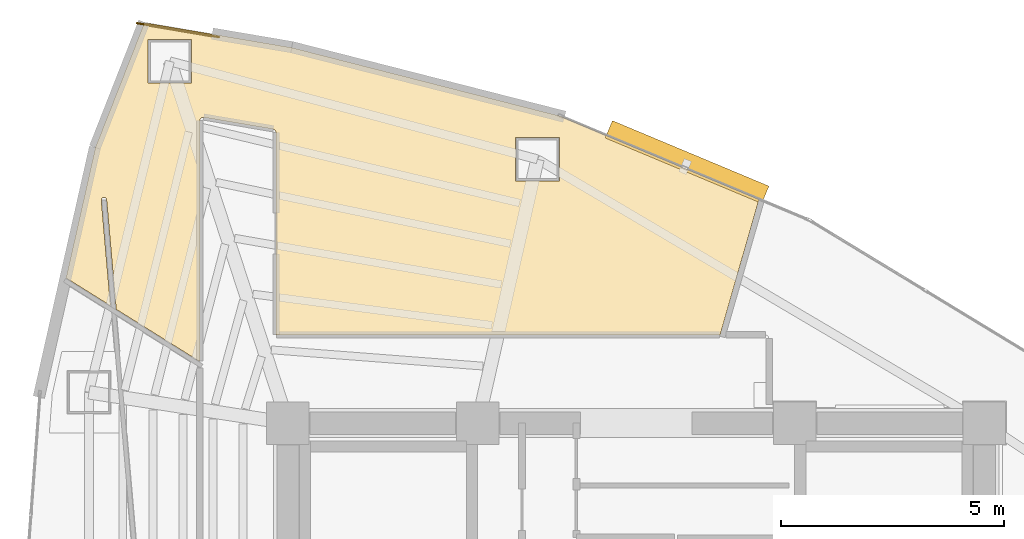
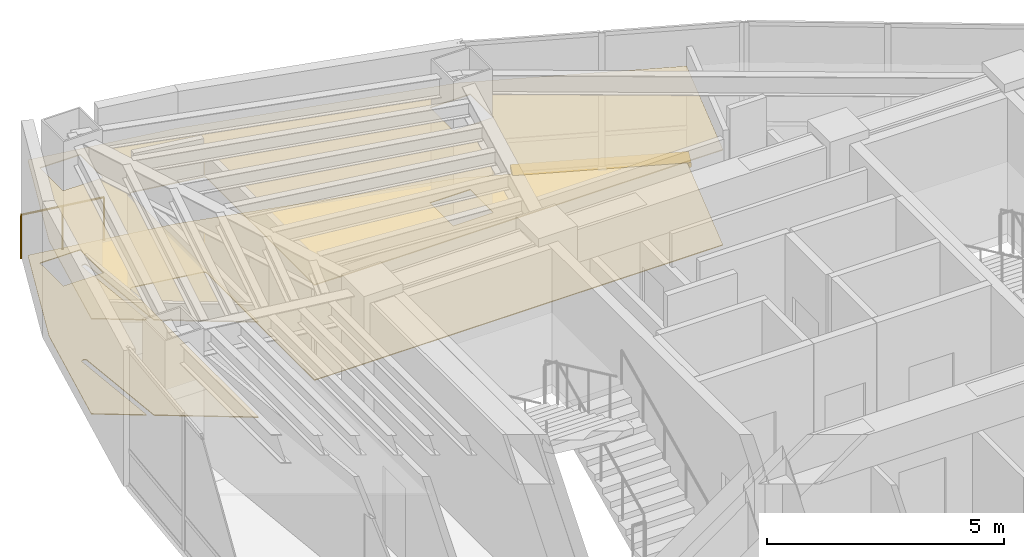
# One storey, part 16 of 16: 2 coverings, 1 railing, 1 shading device.
"""IFC4 building model written with IfcOpenShell, lengths in metres."""

from ifc_helpers import new_model, si_unit, direction, frame, origin, origin_2d, place, context, subcontext, project, spatial, polyline, rectangle, circle, outline, extrude, material, layer, layer_set, type_object, element, save


model = new_model("IFC4")

# Units and contexts
model_context = context("Model", 3, precision=1e-05, world=origin(), true_north=direction((0.0, 1.0)))
body_context = subcontext(model_context, "Body", "Model", "MODEL_VIEW")
ifc_project = project(units=[si_unit("LENGTHUNIT", "METRE"), si_unit("AREAUNIT", "SQUARE_METRE"), si_unit("VOLUMEUNIT", "CUBIC_METRE"), si_unit("PLANEANGLEUNIT", "RADIAN"), si_unit("MASSUNIT", "GRAM", prefix="KILO")], contexts=[model_context])

# Site, building, storey
site_placement = place(None, origin())
site = spatial("IfcSite", under=ifc_project, at=site_placement, CompositionType="ELEMENT")
building_placement = place(site_placement, origin())
building = spatial("IfcBuilding", under=site, at=building_placement, Name="Menara Vayukalpa", CompositionType="ELEMENT")
storey_placement = place(building_placement, frame((0.0, 0.0, 219.5400390625)))
storey = spatial("IfcBuildingStorey", under=building, at=storey_placement, Name="L55", CompositionType="ELEMENT", Elevation=219.5400390625)

# Coverings
ifc_material_1 = material(Name="Mineral Fibre Acoustic Ceiling Tile", Category="masonry")
ifc_layer_1 = layer(ifc_material_1, 0.02490234375)
ifc_layer_set_1 = layer_set([ifc_layer_1], Name="Mineral Fibre Acoustic Ceiling Tile")
covering_type_1 = type_object("IfcCoveringType", Name="COV-CLG1", PredefinedType="CEILING", material=ifc_layer_set_1)
covering_1_placement = place(storey_placement, frame((0.0, 0.0, 2.449951171875)))
element("IfcCovering", 1, at=covering_1_placement, inside=storey, type_object=covering_type_1, Name="L55 Visitor Reception Lounge Acoustic Ceiling", PredefinedType="CEILING", context=body_context, shape_type="SweptSolid", body=[
    extrude(outline(polyline([(13.489013671875, 32.976318359375), (14.583251953125, 35.762451171875), (14.58349609375, 35.76318359375), (14.583984375, 35.76416015625), (14.584716796875, 35.764892578125), (14.585205078125, 35.765625), (14.5859375, 35.766357421875), (14.5869140625, 35.766845703125), (14.587646484375, 35.767333984375), (14.58837890625, 35.767822265625), (14.58935546875, 35.768310546875), (14.59033203125, 35.7685546875), (14.59130859375, 35.7685546875), (14.59228515625, 35.768798828125), (14.59326171875, 35.768798828125), (14.59423828125, 35.7685546875), (17.879150390625, 35.2109375), (17.8798828125, 35.210693359375), (23.884765625, 33.67919921875), (23.885986328125, 33.6787109375), (28.3427734375, 31.814697265625), (28.343505859375, 31.814208984375), (28.344482421875, 31.813720703125), (28.34521484375, 31.81298828125), (28.345947265625, 31.8125), (28.346435546875, 31.811767578125), (28.34716796875, 31.81103515625), (28.34765625, 31.810302734375), (28.347900390625, 31.809326171875), (28.348388671875, 31.808349609375), (28.3486328125, 31.807373046875), (28.3486328125, 31.806396484375), (28.348876953125, 31.805419921875), (28.348876953125, 31.804443359375), (28.3486328125, 31.8037109375), (28.348388671875, 31.802490234375), (27.48095703125, 28.777099609375), (27.480712890625, 28.7763671875), (27.480224609375, 28.775390625), (27.479736328125, 28.7744140625), (27.47900390625, 28.773681640625), (27.478515625, 28.77294921875), (27.477783203125, 28.772216796875), (27.476806640625, 28.771728515625), (27.47607421875, 28.771240234375), (27.47509765625, 28.770751953125), (27.47412109375, 28.7705078125), (27.473388671875, 28.770263671875), (27.472412109375, 28.77001953125), (27.47119140625, 28.77001953125), (17.5400390625, 28.77001953125), (17.5390625, 28.77001953125), (17.5380859375, 28.770263671875), (17.537109375, 28.7705078125), (17.5361328125, 28.770751953125), (17.535400390625, 28.771240234375), (17.534423828125, 28.771728515625), (17.53369140625, 28.772216796875), (17.532958984375, 28.77294921875), (17.5322265625, 28.773681640625), (17.53173828125, 28.7744140625), (17.53125, 28.775390625), (17.53076171875, 28.776123046875), (17.530517578125, 28.777099609375), (17.5302734375, 28.778076171875), (17.530029296875, 28.779052734375), (17.530029296875, 28.780029296875), (17.530029296875, 33.314208984375), (17.529541015625, 33.3212890625), (17.528564453125, 33.328125), (17.52685546875, 33.335205078125), (17.5244140625, 33.341552734375), (17.521484375, 33.347900390625), (17.517822265625, 33.353759765625), (17.513427734375, 33.359375), (17.508544921875, 33.364501953125), (17.50341796875, 33.369140625), (17.497802734375, 33.373291015625), (17.49169921875, 33.376708984375), (17.485107421875, 33.37939453125), (17.478515625, 33.3818359375), (17.471435546875, 33.38330078125), (15.912109375, 33.648193359375), (15.905029296875, 33.64892578125), (15.898193359375, 33.649169921875), (15.8916015625, 33.648681640625), (15.884765625, 33.6474609375), (15.87841796875, 33.645751953125), (15.8720703125, 33.643310546875), (15.865966796875, 33.64013671875), (15.860107421875, 33.63671875), (15.854736328125, 33.632568359375), (15.849853515625, 33.6279296875), (15.845458984375, 33.623046875), (15.841552734375, 33.617431640625), (15.837890625, 33.611572265625), (15.835205078125, 33.60546875), (15.8330078125, 33.59912109375), (15.831298828125, 33.592529296875), (15.830322265625, 33.585693359375), (15.830078125, 33.578857421875), (15.830078125, 28.19384765625), (15.830078125, 28.19287109375), (15.829833984375, 28.19189453125), (15.82958984375, 28.19091796875), (15.829345703125, 28.18994140625), (15.828857421875, 28.189208984375), (15.828369140625, 28.188232421875), (15.827880859375, 28.1875), (15.8271484375, 28.186767578125), (15.826416015625, 28.18603515625), (15.82568359375, 28.185546875), (15.82470703125, 28.18505859375), (15.823974609375, 28.1845703125), (15.822998046875, 28.184326171875), (15.822021484375, 28.18408203125), (15.8212890625, 28.183837890625), (15.8203125, 28.183837890625), (15.8193359375, 28.183837890625), (15.818359375, 28.183837890625), (15.8173828125, 28.18408203125), (15.81640625, 28.1845703125), (15.8154296875, 28.184814453125), (15.814697265625, 28.185302734375), (13.958251953125, 29.34521484375), (13.95751953125, 29.345947265625), (13.956787109375, 29.3466796875), (13.9560546875, 29.347412109375), (13.955322265625, 29.34814453125), (13.954833984375, 29.34912109375), (13.954345703125, 29.349853515625), (13.9541015625, 29.350830078125), (13.953857421875, 29.351806640625), (13.95361328125, 29.352783203125), (13.739501953125, 31.7998046875), (13.73876953125, 31.805908203125), (13.7373046875, 31.811767578125), (13.7353515625, 31.8173828125), (13.73291015625, 31.822509765625), (13.72998046875, 31.82763671875), (13.7265625, 31.83251953125), (13.72265625, 31.8369140625), (13.718505859375, 31.8408203125), (13.713623046875, 31.844482421875), (13.708740234375, 31.847412109375), (13.703369140625, 31.85009765625), (13.69775390625, 31.85205078125), (13.692138671875, 31.853515625), (13.686279296875, 31.8544921875), (13.680419921875, 31.85498046875), (13.674560546875, 31.854736328125), (13.668701171875, 31.85400390625), (13.6630859375, 31.8525390625), (13.657470703125, 31.8505859375), (13.652099609375, 31.84814453125), (13.64697265625, 31.84521484375), (13.64208984375, 31.841796875), (13.6376953125, 31.837890625), (13.6337890625, 31.83349609375), (13.630126953125, 31.82861328125), (13.627197265625, 31.82373046875), (13.62451171875, 31.818603515625), (13.62255859375, 31.81298828125), (13.62109375, 31.807373046875), (13.6201171875, 31.801513671875), (13.619873046875, 31.795654296875), (13.6201171875, 31.78955078125), (13.824951171875, 29.447509765625), (13.824951171875, 29.446533203125), (13.824951171875, 29.445556640625), (13.82470703125, 29.444580078125), (13.82470703125, 29.443603515625), (13.82421875, 29.44287109375), (13.82373046875, 29.44189453125), (13.8232421875, 29.441162109375), (13.82275390625, 29.440185546875), (13.822021484375, 29.439697265625), (13.8212890625, 29.43896484375), (13.820556640625, 29.438232421875), (13.81982421875, 29.437744140625), (13.81884765625, 29.4375), (13.818115234375, 29.43701171875), (13.817138671875, 29.436767578125), (13.816162109375, 29.436767578125), (13.815185546875, 29.4365234375), (13.814208984375, 29.4365234375), (13.813232421875, 29.436767578125), (13.812255859375, 29.43701171875), (13.811279296875, 29.437255859375), (13.810546875, 29.4375), (13.809814453125, 29.43798828125), (12.83642578125, 30.04638671875), (12.835693359375, 30.046875), (12.8349609375, 30.047607421875), (12.834228515625, 30.048095703125), (12.833740234375, 30.048828125), (12.833251953125, 30.0498046875), (12.832763671875, 30.050537109375), (12.83251953125, 30.051513671875), (12.83203125, 30.05224609375), (12.831787109375, 30.05322265625), (12.831787109375, 30.05419921875), (12.831787109375, 30.05517578125), (12.831787109375, 30.05615234375), (12.83203125, 30.056884765625), (13.488525390625, 32.974853515625), (13.48876953125, 32.9755859375), (13.489013671875, 32.976318359375)]), holes=[polyline([(15.644775390625, 35.392578125), (14.664794921875, 35.392578125), (14.664794921875, 34.41259765625), (15.644775390625, 34.41259765625), (15.644775390625, 35.392578125)]), polyline([(23.87939453125, 33.198486328125), (22.8994140625, 33.198486328125), (22.8994140625, 32.218505859375), (23.87939453125, 32.218505859375), (23.87939453125, 33.198486328125)])]), origin(), (0.0, 0.0, 1.0), 0.02490234375),
])
ifc_material_2 = material(Name="Porcelain Stoneware Floor Tile", Category="masonry")
ifc_layer_2 = layer(ifc_material_2, 0.02001953125)
ifc_layer_set_2 = layer_set([ifc_layer_2], Name="Porcelain Stoneware Floor Tile")
covering_type_2 = type_object("IfcCoveringType", Name="COV-FLR1", PredefinedType="FLOORING", material=ifc_layer_set_2)
covering_2_placement = place(storey_placement, origin())
element("IfcCovering", 2, at=covering_2_placement, inside=storey, type_object=covering_type_2, Name="L55 Visitor Reception Lounge Porcelain Flooring", PredefinedType="FLOORING", context=body_context, shape_type="SweptSolid", body=[
    extrude(outline(polyline([(13.489013671875, 32.976318359375), (14.583251953125, 35.762451171875), (14.58349609375, 35.76318359375), (14.583984375, 35.76416015625), (14.584716796875, 35.764892578125), (14.585205078125, 35.765625), (14.5859375, 35.766357421875), (14.5869140625, 35.766845703125), (14.587646484375, 35.767333984375), (14.58837890625, 35.767822265625), (14.58935546875, 35.768310546875), (14.59033203125, 35.7685546875), (14.59130859375, 35.7685546875), (14.59228515625, 35.768798828125), (14.59326171875, 35.768798828125), (14.59423828125, 35.7685546875), (17.879150390625, 35.2109375), (17.8798828125, 35.210693359375), (23.884765625, 33.67919921875), (23.885986328125, 33.6787109375), (28.3427734375, 31.814697265625), (28.343505859375, 31.814208984375), (28.344482421875, 31.813720703125), (28.34521484375, 31.81298828125), (28.345947265625, 31.8125), (28.346435546875, 31.811767578125), (28.34716796875, 31.81103515625), (28.34765625, 31.810302734375), (28.347900390625, 31.809326171875), (28.348388671875, 31.808349609375), (28.3486328125, 31.807373046875), (28.3486328125, 31.806396484375), (28.348876953125, 31.805419921875), (28.348876953125, 31.804443359375), (28.3486328125, 31.8037109375), (28.348388671875, 31.802490234375), (27.48095703125, 28.777099609375), (27.480712890625, 28.7763671875), (27.480224609375, 28.775390625), (27.479736328125, 28.7744140625), (27.47900390625, 28.773681640625), (27.478515625, 28.77294921875), (27.477783203125, 28.772216796875), (27.476806640625, 28.771728515625), (27.47607421875, 28.771240234375), (27.47509765625, 28.770751953125), (27.47412109375, 28.7705078125), (27.473388671875, 28.770263671875), (27.472412109375, 28.77001953125), (27.47119140625, 28.77001953125), (17.5400390625, 28.77001953125), (17.5390625, 28.77001953125), (17.5380859375, 28.770263671875), (17.537109375, 28.7705078125), (17.5361328125, 28.770751953125), (17.535400390625, 28.771240234375), (17.534423828125, 28.771728515625), (17.53369140625, 28.772216796875), (17.532958984375, 28.77294921875), (17.5322265625, 28.773681640625), (17.53173828125, 28.7744140625), (17.53125, 28.775390625), (17.53076171875, 28.776123046875), (17.530517578125, 28.777099609375), (17.5302734375, 28.778076171875), (17.530029296875, 28.779052734375), (17.530029296875, 28.780029296875), (17.530029296875, 33.314208984375), (17.529541015625, 33.3212890625), (17.528564453125, 33.328125), (17.52685546875, 33.335205078125), (17.5244140625, 33.341552734375), (17.521484375, 33.347900390625), (17.517822265625, 33.353759765625), (17.513427734375, 33.359375), (17.508544921875, 33.364501953125), (17.50341796875, 33.369140625), (17.497802734375, 33.373291015625), (17.49169921875, 33.376708984375), (17.485107421875, 33.37939453125), (17.478515625, 33.3818359375), (17.471435546875, 33.38330078125), (15.912109375, 33.648193359375), (15.905029296875, 33.64892578125), (15.898193359375, 33.649169921875), (15.8916015625, 33.648681640625), (15.884765625, 33.6474609375), (15.87841796875, 33.645751953125), (15.8720703125, 33.643310546875), (15.865966796875, 33.64013671875), (15.860107421875, 33.63671875), (15.854736328125, 33.632568359375), (15.849853515625, 33.6279296875), (15.845458984375, 33.623046875), (15.841552734375, 33.617431640625), (15.837890625, 33.611572265625), (15.835205078125, 33.60546875), (15.8330078125, 33.59912109375), (15.831298828125, 33.592529296875), (15.830322265625, 33.585693359375), (15.830078125, 33.578857421875), (15.830078125, 28.19384765625), (15.830078125, 28.19287109375), (15.829833984375, 28.19189453125), (15.82958984375, 28.19091796875), (15.829345703125, 28.18994140625), (15.828857421875, 28.189208984375), (15.828369140625, 28.188232421875), (15.827880859375, 28.1875), (15.8271484375, 28.186767578125), (15.826416015625, 28.18603515625), (15.82568359375, 28.185546875), (15.82470703125, 28.18505859375), (15.823974609375, 28.1845703125), (15.822998046875, 28.184326171875), (15.822021484375, 28.18408203125), (15.8212890625, 28.183837890625), (15.8203125, 28.183837890625), (15.8193359375, 28.183837890625), (15.818359375, 28.183837890625), (15.8173828125, 28.18408203125), (15.81640625, 28.1845703125), (15.8154296875, 28.184814453125), (15.814697265625, 28.185302734375), (13.958251953125, 29.34521484375), (13.95751953125, 29.345947265625), (13.956787109375, 29.3466796875), (13.9560546875, 29.347412109375), (13.955322265625, 29.34814453125), (13.954833984375, 29.34912109375), (13.954345703125, 29.349853515625), (13.9541015625, 29.350830078125), (13.953857421875, 29.351806640625), (13.95361328125, 29.352783203125), (13.739501953125, 31.7998046875), (13.73876953125, 31.805908203125), (13.7373046875, 31.811767578125), (13.7353515625, 31.8173828125), (13.73291015625, 31.822509765625), (13.72998046875, 31.82763671875), (13.7265625, 31.83251953125), (13.72265625, 31.8369140625), (13.718505859375, 31.8408203125), (13.713623046875, 31.844482421875), (13.708740234375, 31.847412109375), (13.703369140625, 31.85009765625), (13.69775390625, 31.85205078125), (13.692138671875, 31.853515625), (13.686279296875, 31.8544921875), (13.680419921875, 31.85498046875), (13.674560546875, 31.854736328125), (13.668701171875, 31.85400390625), (13.6630859375, 31.8525390625), (13.657470703125, 31.8505859375), (13.652099609375, 31.84814453125), (13.64697265625, 31.84521484375), (13.64208984375, 31.841796875), (13.6376953125, 31.837890625), (13.6337890625, 31.83349609375), (13.630126953125, 31.82861328125), (13.627197265625, 31.82373046875), (13.62451171875, 31.818603515625), (13.62255859375, 31.81298828125), (13.62109375, 31.807373046875), (13.6201171875, 31.801513671875), (13.619873046875, 31.795654296875), (13.6201171875, 31.78955078125), (13.824951171875, 29.447509765625), (13.824951171875, 29.446533203125), (13.824951171875, 29.445556640625), (13.82470703125, 29.444580078125), (13.82470703125, 29.443603515625), (13.82421875, 29.44287109375), (13.82373046875, 29.44189453125), (13.8232421875, 29.441162109375), (13.82275390625, 29.440185546875), (13.822021484375, 29.439697265625), (13.8212890625, 29.43896484375), (13.820556640625, 29.438232421875), (13.81982421875, 29.437744140625), (13.81884765625, 29.4375), (13.818115234375, 29.43701171875), (13.817138671875, 29.436767578125), (13.816162109375, 29.436767578125), (13.815185546875, 29.4365234375), (13.814208984375, 29.4365234375), (13.813232421875, 29.436767578125), (13.812255859375, 29.43701171875), (13.811279296875, 29.437255859375), (13.810546875, 29.4375), (13.809814453125, 29.43798828125), (12.83642578125, 30.04638671875), (12.835693359375, 30.046875), (12.8349609375, 30.047607421875), (12.834228515625, 30.048095703125), (12.833740234375, 30.048828125), (12.833251953125, 30.0498046875), (12.832763671875, 30.050537109375), (12.83251953125, 30.051513671875), (12.83203125, 30.05224609375), (12.831787109375, 30.05322265625), (12.831787109375, 30.05419921875), (12.831787109375, 30.05517578125), (12.831787109375, 30.05615234375), (12.83203125, 30.056884765625), (13.488525390625, 32.974853515625), (13.48876953125, 32.9755859375), (13.489013671875, 32.976318359375)]), holes=[polyline([(15.644775390625, 35.392578125), (14.664794921875, 35.392578125), (14.664794921875, 34.41259765625), (15.644775390625, 34.41259765625), (15.644775390625, 35.392578125)]), polyline([(23.87939453125, 33.198486328125), (22.8994140625, 33.198486328125), (22.8994140625, 32.218505859375), (23.87939453125, 32.218505859375), (23.87939453125, 33.198486328125)])]), origin(), (0.0, 0.0, 1.0), 0.02001953125),
])

# Railing
ifc_material_3 = material(Name="Laminated Glass and Stainless Steel 316 Guardrail", Category="steel")
railing_type = type_object("IfcRailingType", Name="RLG-EXT115", PredefinedType="GUARDRAIL", material=ifc_material_3)
railing_placement = place(storey_placement, frame((16.256103515625, 35.44580078125, 0.0)))
element("IfcRailing", 3, at=railing_placement, inside=storey, type_object=railing_type, Name="L55 Column Corner Spandrel Guardrail 07-1", PredefinedType="GUARDRAIL", context=body_context, shape_type="SweptSolid", body=[
    extrude(circle(Radius=0.02392578125, at=origin_2d()), frame((0.0, 0.0, 1.1259765625), z_axis=(-0.985895107684, 0.167364382844, 0.0), x_axis=(-0.167364382844, -0.985895107684, 0.0)), (0.0, 0.0, 1.0), 1.86865234375),
    extrude(circle(Radius=0.02099609375, at=origin_2d()), origin(), (0.0, 0.0, 1.0), 1.101806640625),
    extrude(circle(Radius=0.02099609375, at=origin_2d()), frame((-0.921142578125, 0.15625, 0.0)), (0.0, 0.0, 1.0), 1.101806640625),
    extrude(circle(Radius=0.02099609375, at=origin_2d()), frame((-1.84228515625, 0.312744140625, 0.0)), (0.0, 0.0, 1.0), 1.101806640625),
])

# Shading device
ifc_material_4 = material(Name="Glazed Terracotta Ceramic Baguette Extrusion", Category="masonry")
ifc_layer_3 = layer(ifc_material_4, 0.1201171875)
ifc_layer_set_3 = layer_set([ifc_layer_3], Name="Glazed Terracotta Ceramic Baguette Extrusion")
shading_device_type = type_object("IfcShadingDeviceType", Name="SHD-SS1", PredefinedType="USERDEFINED", material=ifc_layer_set_3)
shading_device_placement = place(storey_placement, frame((26.740234375, 32.6474609375, -0.10009765625), z_axis=(0.0, 0.0, 1.0), x_axis=(-0.922538089456, 0.385906042324, 0.0)))
element("IfcShadingDevice", 4, at=shading_device_placement, inside=storey, type_object=shading_device_type, Name="L55 Horizontal Terracotta Sunshade Band 05", ObjectType="SUNSHADE", PredefinedType="USERDEFINED", context=body_context, shape_type="SweptSolid", body=[
    extrude(rectangle(XDim=3.800048828125, YDim=0.419921875, at=origin_2d()), origin(), (0.0, 0.0, 1.0), 0.1201171875),
])

save(model, "model.ifc")
